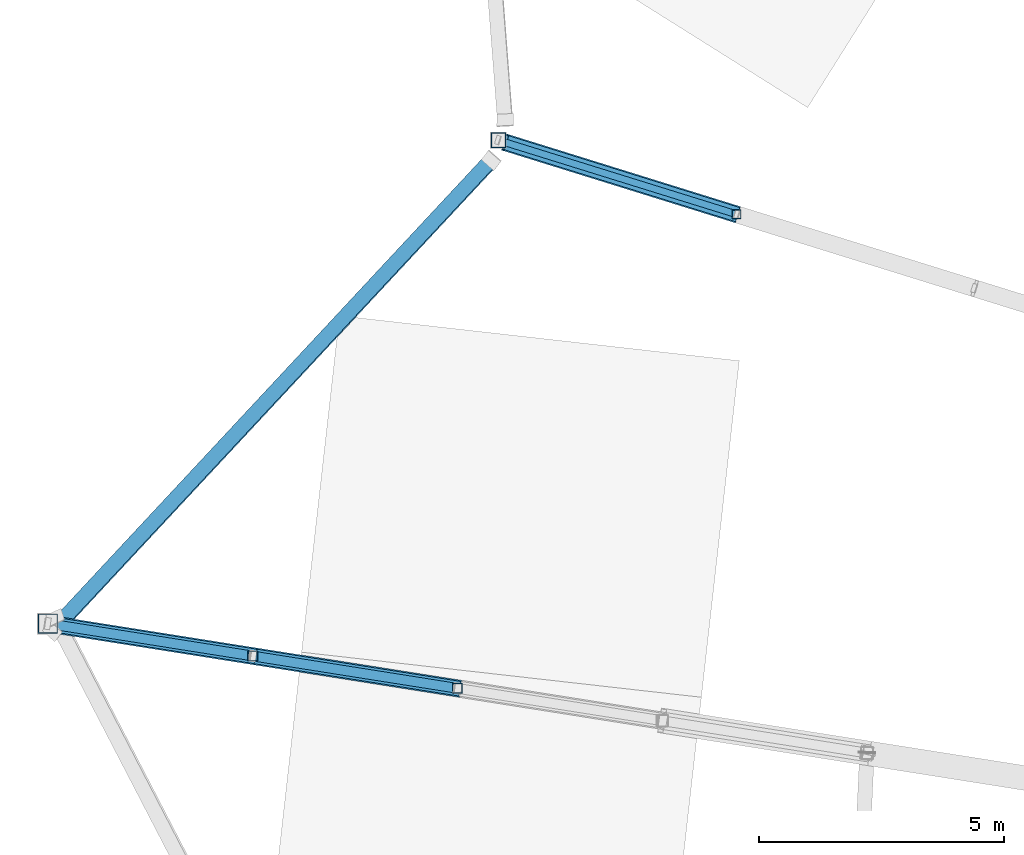
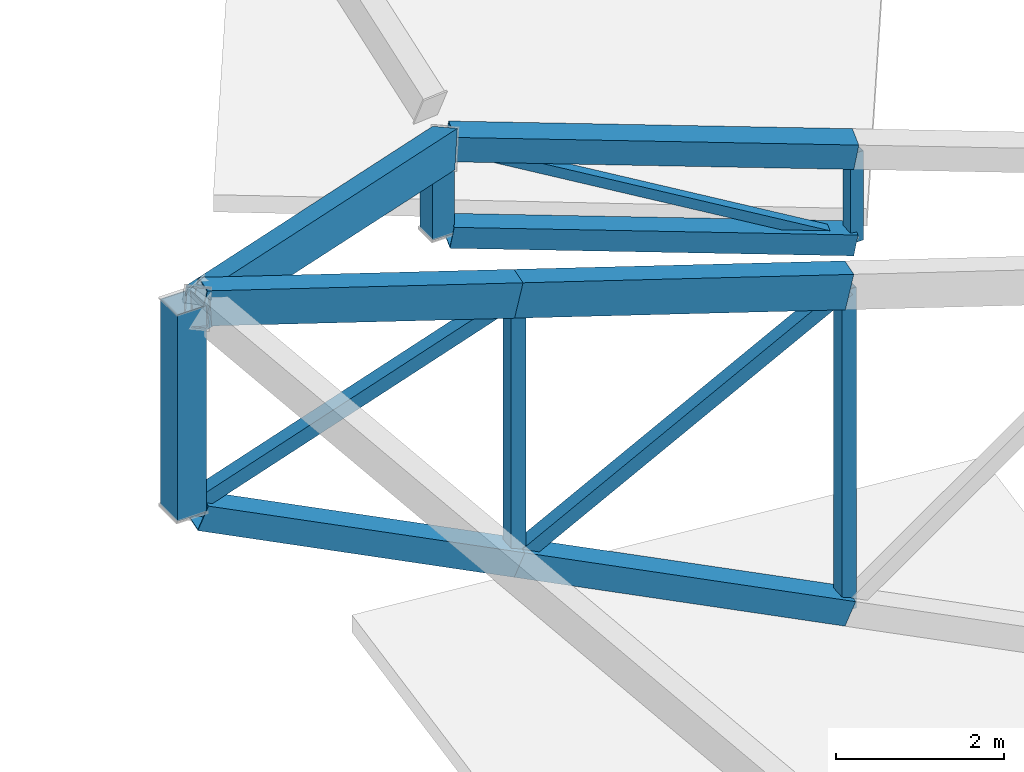
# One storey, part 66 of 188: 14 members, 1 beam.
"""IFC4 building model written with IfcOpenShell, lengths in metres."""

from ifc_helpers import new_model, si_unit, direction, frame, origin, origin_2d, place, context, subcontext, project, spatial, hollow_rectangle, extrude, material, material_profile, profile_set, type_object, element, save


model = new_model("IFC4")

# Units and contexts
model_context = context("Model", 3, precision=1e-05, world=origin(), true_north=direction((0.0, 1.0)))
body_context = subcontext(model_context, "Body", "Model", "MODEL_VIEW")
ifc_project = project(units=[si_unit("LENGTHUNIT", "METRE"), si_unit("AREAUNIT", "SQUARE_METRE"), si_unit("VOLUMEUNIT", "CUBIC_METRE"), si_unit("PLANEANGLEUNIT", "RADIAN"), si_unit("MASSUNIT", "GRAM", prefix="KILO")], contexts=[model_context])

# Site, building, storey
site_placement = place(None, origin())
site = spatial("IfcSite", under=ifc_project, at=site_placement, CompositionType="ELEMENT")
building_placement = place(site_placement, origin())
building = spatial("IfcBuilding", under=site, at=building_placement, Name="Meseta Stadium", CompositionType="ELEMENT")
storey_placement = place(building_placement, frame((0.0, 0.0, 30.0)))
storey = spatial("IfcBuildingStorey", under=building, at=storey_placement, Name="ROOF", CompositionType="ELEMENT", Elevation=30.0)

# Beam
ifc_material_1 = material(Name="Steel S355", Category="steel")
ifc_material_profile_1 = material_profile(ifc_material_1, hollow_rectangle(XDim=0.300048828125, YDim=0.5, WallThickness=0.01611328125, at=origin_2d()), Name="RHS 500x300x16")
ifc_profile_set_1 = profile_set([ifc_material_profile_1], Name="Steel S355")
beam_type = type_object("IfcBeamType", Name="RHS 500x300x16 rim ring beam", PredefinedType="BEAM", material=ifc_profile_set_1)
beam_placement = place(storey_placement, frame((-92.022705078125, 65.636962890625, 3.796142578125), z_axis=(-0.60856859861, -0.652977883358, 0.450848250114), x_axis=(0.743783909174, -0.667372742217, 0.037404804491)))
element("IfcBeam", 1, at=beam_placement, inside=storey, type_object=beam_type, Name="RIM RING BEAM 28", PredefinedType="BEAM", context=body_context, shape_type="SweptSolid", body=[
    extrude(hollow_rectangle(XDim=0.300048828125, YDim=0.5, WallThickness=0.01611328125, at=origin_2d()), origin(), (0.0, 0.0, 1.0), 14.6728515625),
])

# Members
ifc_material_2 = material(Name="Steel S355", Category="steel")
ifc_material_profile_2 = material_profile(ifc_material_2, hollow_rectangle(XDim=0.300048828125, YDim=0.5, WallThickness=0.01611328125, at=origin_2d()), Name="RHS 500x300x16")
ifc_profile_set_2 = profile_set([ifc_material_profile_2], Name="Steel S355")
member_type_1 = type_object("IfcMemberType", Name="RHS 500x300x16 top chord", PredefinedType="CHORD", material=ifc_profile_set_2)
member_1_placement = place(storey_placement, frame((-92.70751953125, 54.884033203125, 8.55908203125), z_axis=(-0.964249444355, 0.152404339002, 0.216785438891), x_axis=(-0.156116912313, -0.98773858368, 0.0)))
element("IfcMember", 2, at=member_1_placement, inside=storey, type_object=member_type_1, Name="ROOF TRUSS RT-28 top chord", PredefinedType="CHORD", context=body_context, shape_type="SweptSolid", body=[
    extrude(hollow_rectangle(XDim=0.300048828125, YDim=0.5, WallThickness=0.01611328125, at=origin_2d()), origin(), (0.0, 0.0, 1.0), 4.326904296875),
])
member_2_placement = place(storey_placement, frame((-96.879638671875, 55.54345703125, 9.4970703125), z_axis=(-0.964255453025, 0.152397205165, 0.216763726602), x_axis=(-0.156108833712, -0.987739860508, 0.0)))
element("IfcMember", 3, at=member_2_placement, inside=storey, type_object=member_type_1, Name="ROOF TRUSS RT-28 top chord", PredefinedType="CHORD", context=body_context, shape_type="SweptSolid", body=[
    extrude(hollow_rectangle(XDim=0.300048828125, YDim=0.5, WallThickness=0.01611328125, at=origin_2d()), origin(), (0.0, 0.0, 1.0), 4.126708984375),
])
ifc_material_3 = material(Name="Steel S355", Category="steel")
ifc_material_profile_3 = material_profile(ifc_material_3, hollow_rectangle(XDim=0.139892578125, YDim=0.139892578125, WallThickness=0.0048828125, at=origin_2d()), Name="SHS 140x140x5")
ifc_profile_set_3 = profile_set([ifc_material_profile_3], Name="Steel S355")
member_type_2 = type_object("IfcMemberType", Name="SHS 140x140x5 diagonal", PredefinedType="BRACE", material=ifc_profile_set_3)
member_3_placement = place(storey_placement, frame((-87.02099609375, 64.542724609375, 1.393798828125), z_axis=(-0.876389501178, 0.272534952814, 0.397071960379), x_axis=(-0.296947777977, -0.954893720345, 0.0)))
element("IfcMember", 4, at=member_3_placement, inside=storey, type_object=member_type_2, Name="ROOF TRUSS RT-27 diagonal", PredefinedType="BRACE", context=body_context, shape_type="SweptSolid", body=[
    extrude(hollow_rectangle(XDim=0.139892578125, YDim=0.139892578125, WallThickness=0.0048828125, at=origin_2d()), origin(), (0.0, 0.0, 1.0), 5.5361328125),
])
ifc_material_4 = material(Name="Steel S355", Category="steel")
ifc_material_profile_4 = material_profile(ifc_material_4, hollow_rectangle(XDim=0.179931640625, YDim=0.179931640625, WallThickness=0.00634765625, at=origin_2d()), Name="SHS 180x180x6.3")
ifc_profile_set_4 = profile_set([ifc_material_profile_4], Name="Steel S355")
member_type_3 = type_object("IfcMemberType", Name="SHS 180x180x6.3 post", PredefinedType="POST", material=ifc_profile_set_4)
member_4_placement = place(storey_placement, frame((-87.02099609375, 64.542724609375, 1.393798828125), z_axis=(0.0, 0.0, 1.0), x_axis=(1.0, 0.0, 0.0)))
element("IfcMember", 5, at=member_4_placement, inside=storey, type_object=member_type_3, Name="ROOF TRUSS RT-27 post", PredefinedType="POST", context=body_context, shape_type="SweptSolid", body=[
    extrude(hollow_rectangle(XDim=0.179931640625, YDim=0.179931640625, WallThickness=0.00634765625, at=origin_2d()), origin(), (0.0, 0.0, 1.0), 1.300048828125),
])
ifc_material_5 = material(Name="Steel S355", Category="steel")
ifc_material_profile_5 = material_profile(ifc_material_5, hollow_rectangle(XDim=0.199951171875, YDim=0.199951171875, WallThickness=0.008056640625, at=origin_2d()), Name="SHS 200x200x8")
ifc_profile_set_5 = profile_set([ifc_material_profile_5], Name="Steel S355")
member_type_4 = type_object("IfcMemberType", Name="SHS 200x200x8 diagonal", PredefinedType="BRACE", material=ifc_profile_set_5)
member_5_placement = place(storey_placement, frame((-92.70751953125, 54.884033203125, 8.55908203125), z_axis=(-0.814718325647, 0.128770214616, -0.565377998938), x_axis=(-0.156116912313, -0.98773858368, 0.0)))
element("IfcMember", 6, at=member_5_placement, inside=storey, type_object=member_type_4, Name="ROOF TRUSS RT-28 diagonal", PredefinedType="BRACE", context=body_context, shape_type="SweptSolid", body=[
    extrude(hollow_rectangle(XDim=0.199951171875, YDim=0.199951171875, WallThickness=0.008056640625, at=origin_2d()), origin(), (0.0, 0.0, 1.0), 5.120849609375),
])
member_6_placement = place(storey_placement, frame((-96.879638671875, 55.54345703125, 9.4970703125), z_axis=(-0.887618420205, 0.140292430977, -0.438693029262), x_axis=(-0.156116912313, -0.98773858368, 0.0)))
element("IfcMember", 7, at=member_6_placement, inside=storey, type_object=member_type_4, Name="ROOF TRUSS RT-28 diagonal", PredefinedType="BRACE", context=body_context, shape_type="SweptSolid", body=[
    extrude(hollow_rectangle(XDim=0.199951171875, YDim=0.199951171875, WallThickness=0.008056640625, at=origin_2d()), origin(), (0.0, 0.0, 1.0), 4.700439453125),
])
ifc_material_6 = material(Name="Steel S355", Category="steel")
ifc_material_profile_6 = material_profile(ifc_material_6, hollow_rectangle(XDim=0.199951171875, YDim=0.199951171875, WallThickness=0.008056640625, at=origin_2d()), Name="SHS 200x200x8")
ifc_profile_set_6 = profile_set([ifc_material_profile_6], Name="Steel S355")
member_type_5 = type_object("IfcMemberType", Name="SHS 200x200x8 post", PredefinedType="POST", material=ifc_profile_set_6)
member_7_placement = place(storey_placement, frame((-92.70751953125, 54.884033203125, 3.892578125), z_axis=(0.0, 0.0, 1.0), x_axis=(1.0, 0.0, 0.0)))
element("IfcMember", 8, at=member_7_placement, inside=storey, type_object=member_type_5, Name="ROOF TRUSS RT-28 post", PredefinedType="POST", context=body_context, shape_type="SweptSolid", body=[
    extrude(hollow_rectangle(XDim=0.199951171875, YDim=0.199951171875, WallThickness=0.008056640625, at=origin_2d()), origin(), (0.0, 0.0, 1.0), 4.66650390625),
])
member_8_placement = place(storey_placement, frame((-96.879638671875, 55.54345703125, 5.663818359375), z_axis=(0.0, 0.0, 1.0), x_axis=(1.0, 0.0, 0.0)))
element("IfcMember", 9, at=member_8_placement, inside=storey, type_object=member_type_5, Name="ROOF TRUSS RT-28 post", PredefinedType="POST", context=body_context, shape_type="SweptSolid", body=[
    extrude(hollow_rectangle(XDim=0.199951171875, YDim=0.199951171875, WallThickness=0.008056640625, at=origin_2d()), origin(), (0.0, 0.0, 1.0), 3.833251953125),
])
ifc_material_7 = material(Name="Steel S355", Category="steel")
ifc_material_profile_7 = material_profile(ifc_material_7, hollow_rectangle(XDim=0.300048828125, YDim=0.300048828125, WallThickness=0.010009765625, at=origin_2d()), Name="SHS 300x300x10")
ifc_profile_set_7 = profile_set([ifc_material_profile_7], Name="Steel S355")
member_type_6 = type_object("IfcMemberType", Name="SHS 300x300x10 bottom chord", PredefinedType="CHORD", material=ifc_profile_set_7)
member_9_placement = place(storey_placement, frame((-87.02099609375, 64.542724609375, 1.393798828125), z_axis=(-0.940304589529, 0.292447154276, 0.174074526758), x_axis=(-0.296981322257, -0.954883288277, 0.0)))
element("IfcMember", 10, at=member_9_placement, inside=storey, type_object=member_type_6, Name="ROOF TRUSS RT-27 bottom chord", PredefinedType="CHORD", context=body_context, shape_type="SweptSolid", body=[
    extrude(hollow_rectangle(XDim=0.300048828125, YDim=0.300048828125, WallThickness=0.010009765625, at=origin_2d()), origin(), (0.0, 0.0, 1.0), 5.009765625),
])
ifc_material_8 = material(Name="Steel S355", Category="steel")
ifc_material_profile_8 = material_profile(ifc_material_8, hollow_rectangle(XDim=0.300048828125, YDim=0.300048828125, WallThickness=0.010009765625, at=origin_2d()), Name="SHS 300x300x10")
ifc_profile_set_8 = profile_set([ifc_material_profile_8], Name="Steel S355")
member_type_7 = type_object("IfcMemberType", Name="SHS 300x300x10 rim post", PredefinedType="POST", material=ifc_profile_set_8)
member_10_placement = place(storey_placement, frame((-91.872802734375, 66.051513671875, 2.2919921875), z_axis=(0.0, 0.0, 1.0), x_axis=(1.0, 0.0, 0.0)))
element("IfcMember", 11, at=member_10_placement, inside=storey, type_object=member_type_7, Name="ROOF TRUSS RT-27 post", PredefinedType="POST", context=body_context, shape_type="SweptSolid", body=[
    extrude(hollow_rectangle(XDim=0.300048828125, YDim=0.300048828125, WallThickness=0.010009765625, at=origin_2d()), origin(), (0.0, 0.0, 1.0), 1.300048828125),
])
ifc_material_9 = material(Name="Steel S355", Category="steel")
ifc_material_profile_9 = material_profile(ifc_material_9, hollow_rectangle(XDim=0.35009765625, YDim=0.35009765625, WallThickness=0.010009765625, at=origin_2d()), Name="SHS 350x350x10")
ifc_profile_set_9 = profile_set([ifc_material_profile_9], Name="Steel S355")
member_type_8 = type_object("IfcMemberType", Name="SHS 350x350x10 bottom chord", PredefinedType="CHORD", material=ifc_profile_set_9)
member_11_placement = place(storey_placement, frame((-92.70751953125, 54.884033203125, 3.892578125), z_axis=(-0.910892892392, 0.143971075098, 0.386712384241), x_axis=(-0.156116912313, -0.98773858368, 0.0)))
element("IfcMember", 12, at=member_11_placement, inside=storey, type_object=member_type_8, Name="ROOF TRUSS RT-28 bottom chord", PredefinedType="CHORD", context=body_context, shape_type="SweptSolid", body=[
    extrude(hollow_rectangle(XDim=0.35009765625, YDim=0.35009765625, WallThickness=0.010009765625, at=origin_2d()), origin(), (0.0, 0.0, 1.0), 4.580322265625),
])
member_12_placement = place(storey_placement, frame((-96.879638671875, 55.54345703125, 5.663818359375), z_axis=(-0.910889792192, 0.143974319742, 0.386718478658), x_axis=(-0.156120863334, -0.987737959194, 0.0)))
element("IfcMember", 13, at=member_12_placement, inside=storey, type_object=member_type_8, Name="ROOF TRUSS RT-28 bottom chord", PredefinedType="CHORD", context=body_context, shape_type="SweptSolid", body=[
    extrude(hollow_rectangle(XDim=0.35009765625, YDim=0.35009765625, WallThickness=0.010009765625, at=origin_2d()), origin(), (0.0, 0.0, 1.0), 4.380126953125),
])
ifc_material_10 = material(Name="Steel S355", Category="steel")
ifc_material_profile_10 = material_profile(ifc_material_10, hollow_rectangle(XDim=0.35009765625, YDim=0.35009765625, WallThickness=0.010009765625, at=origin_2d()), Name="SHS 350x350x10")
ifc_profile_set_10 = profile_set([ifc_material_profile_10], Name="Steel S355")
member_type_9 = type_object("IfcMemberType", Name="SHS 350x350x10 top chord", PredefinedType="CHORD", material=ifc_profile_set_10)
member_13_placement = place(storey_placement, frame((-87.02099609375, 64.542724609375, 2.69384765625), z_axis=(-0.940304589529, 0.292447154276, 0.174074526758), x_axis=(-0.296981322257, -0.954883288277, 0.0)))
element("IfcMember", 14, at=member_13_placement, inside=storey, type_object=member_type_9, Name="ROOF TRUSS RT-27 top chord", PredefinedType="CHORD", context=body_context, shape_type="SweptSolid", body=[
    extrude(hollow_rectangle(XDim=0.35009765625, YDim=0.35009765625, WallThickness=0.010009765625, at=origin_2d()), origin(), (0.0, 0.0, 1.0), 5.009765625),
])
ifc_material_11 = material(Name="Steel S355", Category="steel")
ifc_material_profile_11 = material_profile(ifc_material_11, hollow_rectangle(XDim=0.39990234375, YDim=0.39990234375, WallThickness=0.01416015625, at=origin_2d()), Name="SHS 400x400x14.2")
ifc_profile_set_11 = profile_set([ifc_material_profile_11], Name="Steel S355")
member_type_10 = type_object("IfcMemberType", Name="SHS 400x400x14.2 rim post", PredefinedType="POST", material=ifc_profile_set_11)
member_14_placement = place(storey_placement, frame((-101.0517578125, 56.202880859375, 7.43505859375), z_axis=(0.0, 0.0, 1.0), x_axis=(1.0, 0.0, 0.0)))
element("IfcMember", 15, at=member_14_placement, inside=storey, type_object=member_type_10, Name="ROOF TRUSS RT-28 post", PredefinedType="POST", context=body_context, shape_type="SweptSolid", body=[
    extrude(hollow_rectangle(XDim=0.39990234375, YDim=0.39990234375, WallThickness=0.01416015625, at=origin_2d()), origin(), (0.0, 0.0, 1.0), 3.0),
])

save(model, "model.ifc")
